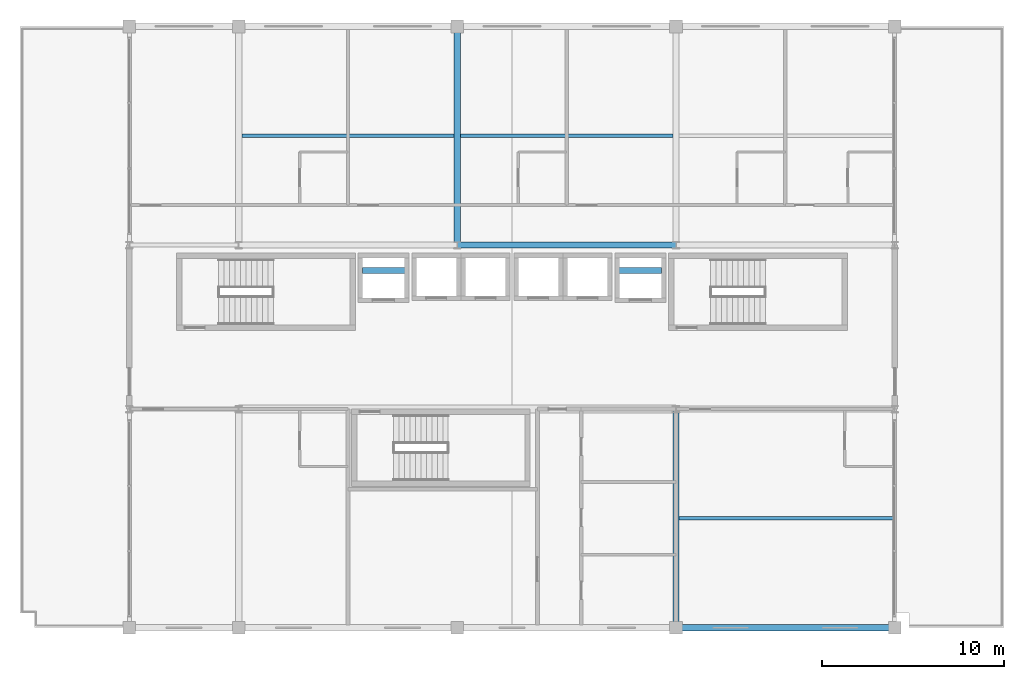
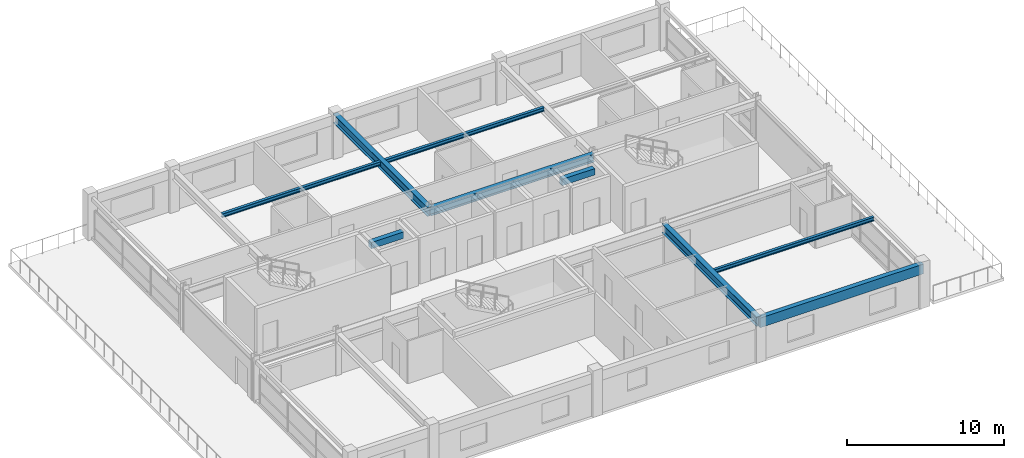
# One storey, part 9 of 24: 9 beams.
"""IFC4 building model written with IfcOpenShell, lengths in metres."""

from ifc_helpers import new_model, si_unit, direction, frame, origin, origin_2d, place, context, subcontext, project, spatial, rectangle, i_section, extrude, material, material_profile, profile_set, type_object, element, save


model = new_model("IFC4")

# Units and contexts
model_context = context("Model", 3, precision=1e-05, world=origin(), true_north=direction((0.0, 1.0)))
body_context = subcontext(model_context, "Body", "Model", "MODEL_VIEW")
ifc_project = project(units=[si_unit("LENGTHUNIT", "METRE"), si_unit("AREAUNIT", "SQUARE_METRE"), si_unit("VOLUMEUNIT", "CUBIC_METRE"), si_unit("PLANEANGLEUNIT", "RADIAN"), si_unit("MASSUNIT", "GRAM", prefix="KILO")], contexts=[model_context])

# Site, building, storey
site_placement = place(None, origin())
site = spatial("IfcSite", under=ifc_project, at=site_placement, CompositionType="ELEMENT")
building_placement = place(site_placement, origin())
building = spatial("IfcBuilding", under=site, at=building_placement, Name="Kaldorvane Square Convention Centre", CompositionType="ELEMENT")
storey_placement = place(building_placement, frame((0.0, 0.0, 60.0)))
storey = spatial("IfcBuildingStorey", under=building, at=storey_placement, Name="L14", CompositionType="ELEMENT", Elevation=60.0)

# Beams
ifc_material_1 = material(Name="Steel ASTM A992 Gr. 50", Category="steel")
ifc_material_profile_1 = material_profile(ifc_material_1, i_section(OverallWidth=0.326507568359375, OverallDepth=0.621795654296875, WebThickness=0.0153961181640625, FlangeThickness=0.0243988037109375, FilletRadius=0.0126953125, at=origin_2d()), Name="W24X131")
ifc_profile_set_1 = profile_set([ifc_material_profile_1], Name="Steel ASTM A992 Gr. 50")
beam_type_1 = type_object("IfcBeamType", Name="BM-GR-W24X131", PredefinedType="BEAM", material=ifc_profile_set_1)
beam_1_placement = place(storey_placement, frame((54.0, 105.0, 2.97509765625), z_axis=(1.0, 0.0, 0.0), x_axis=(0.0, 1.0, 0.0)))
element("IfcBeam", 1, at=beam_1_placement, inside=storey, type_object=beam_type_1, Name="Primary Girder (L14)", PredefinedType="BEAM", context=body_context, shape_type="SweptSolid", body=[
    extrude(i_section(OverallWidth=0.326507568359375, OverallDepth=0.621795654296875, WebThickness=0.0153961181640625, FlangeThickness=0.0243988037109375, FilletRadius=0.0126953125, at=origin_2d()), origin(), (0.0, 0.0, 1.0), 12.0),
])
ifc_material_profile_2 = material_profile(ifc_material_1, i_section(OverallWidth=0.354705810546875, OverallDepth=0.69549560546875, WebThickness=0.0153961181640625, FlangeThickness=0.0251007080078125, FilletRadius=0.01519775390625, at=origin_2d()), Name="W27X146")
ifc_profile_set_2 = profile_set([ifc_material_profile_2], Name="Steel ASTM A992 Gr. 50")
beam_type_2 = type_object("IfcBeamType", Name="BM-GR-W27X146", PredefinedType="BEAM", material=ifc_profile_set_2)
for number, where, z_axis, x_axis, name in (
    (2, (54.0, 105.0, 2.93829345703125), (0.0, 1.0, 0.0), (-1.0, 0.0, 0.0), "Transverse Girder (L14)"),
    (3, (66.0, 84.0, 2.93829345703125), (0.0, 1.0, 0.0), (-1.0, 0.0, 0.0), "Transverse Girder (L14)"),
):
    element("IfcBeam", number, at=place(storey_placement, frame(where, z_axis=z_axis, x_axis=x_axis)), inside=storey, type_object=beam_type_2, Name=name, PredefinedType="BEAM", context=body_context, shape_type="SweptSolid", body=[
        extrude(i_section(OverallWidth=0.354705810546875, OverallDepth=0.69549560546875, WebThickness=0.0153961181640625, FlangeThickness=0.0251007080078125, FilletRadius=0.01519775390625, at=origin_2d()), origin(), (0.0, 0.0, 1.0), 12.0),
    ])
ifc_material_profile_3 = material_profile(ifc_material_1, i_section(OverallWidth=0.2032928466796875, OverallDepth=0.3032989501953125, WebThickness=0.00750732421875, FlangeThickness=0.0131072998046875, FilletRadius=0.01019287109375, at=origin_2d()), Name="W12X40")
ifc_profile_set_3 = profile_set([ifc_material_profile_3], Name="Steel ASTM A992 Gr. 50")
beam_type_3 = type_object("IfcBeamType", Name="BM-JS-W12X40", PredefinedType="JOIST", material=ifc_profile_set_3)
beam_2_placement = place(storey_placement, frame((66.17739868164062, 90.0, 3.1343994140625), z_axis=(1.0, 0.0, 0.0), x_axis=(0.0, 1.0, 0.0)))
element("IfcBeam", 4, at=beam_2_placement, inside=storey, type_object=beam_type_3, Name="Secondary Floor Joist (L14)", PredefinedType="JOIST", context=body_context, shape_type="SweptSolid", body=[
    extrude(i_section(OverallWidth=0.2032928466796875, OverallDepth=0.3032989501953125, WebThickness=0.00750732421875, FlangeThickness=0.0131072998046875, FilletRadius=0.01019287109375, at=origin_2d()), origin(), (0.0, 0.0, 1.0), 11.72100830078125),
])
beam_3_placement = place(storey_placement, frame((42.17730712890625, 111.0, 3.1343994140625), z_axis=(1.0, 0.0, 0.0), x_axis=(0.0, 1.0, 0.0)))
element("IfcBeam", 5, at=beam_3_placement, inside=storey, type_object=beam_type_3, Name="Secondary Floor Joist (L14)", PredefinedType="JOIST", context=body_context, shape_type="SweptSolid", body=[
    extrude(i_section(OverallWidth=0.2032928466796875, OverallDepth=0.3032989501953125, WebThickness=0.00750732421875, FlangeThickness=0.0131072998046875, FilletRadius=0.01019287109375, at=origin_2d()), origin(), (0.0, 0.0, 1.0), 11.6453857421875),
])
beam_4_placement = place(storey_placement, frame((54.17730712890625, 111.0, 3.1343994140625), z_axis=(1.0, 0.0, 0.0), x_axis=(0.0, 1.0, 0.0)))
element("IfcBeam", 6, at=beam_4_placement, inside=storey, type_object=beam_type_3, Name="Secondary Floor Joist (L14)", PredefinedType="JOIST", context=body_context, shape_type="SweptSolid", body=[
    extrude(i_section(OverallWidth=0.2032928466796875, OverallDepth=0.3032989501953125, WebThickness=0.00750732421875, FlangeThickness=0.0131072998046875, FilletRadius=0.01019287109375, at=origin_2d()), origin(), (0.0, 0.0, 1.0), 11.645294189453125),
])
ifc_material_2 = material(Name="Concrete f'c = 42 MPa (Normalweight)", Category="concrete")
ifc_material_profile_4 = material_profile(ifc_material_2, rectangle(XDim=0.350006103515625, YDim=0.5, at=origin_2d()), Name="RCLN500X350")
ifc_profile_set_4 = profile_set([ifc_material_profile_4], Name="Concrete f'c = 42 MPa (Normalweight)")
beam_type_4 = type_object("IfcBeamType", Name="BM-LN-RC500", PredefinedType="LINTEL", material=ifc_profile_set_4)
for number, where, z_axis, x_axis, name in (
    (7, (48.80000305175781, 103.60000610351562, 3.037994384765625), (1.0, 0.0, 0.0), (0.0, 1.0, 0.0), "Core Coupling Lintel W (L14)"),
    (8, (62.80000305175781, 103.60000610351562, 3.037994384765625), (1.0, 0.0, 0.0), (0.0, 1.0, 0.0), "Core Coupling Lintel E (L14)"),
):
    element("IfcBeam", number, at=place(storey_placement, frame(where, z_axis=z_axis, x_axis=x_axis)), inside=storey, type_object=beam_type_4, Name=name, PredefinedType="LINTEL", context=body_context, shape_type="SweptSolid", body=[
        extrude(rectangle(XDim=0.350006103515625, YDim=0.5, at=origin_2d()), origin(), (0.0, 0.0, 1.0), 2.399993896484375),
    ])
ifc_material_profile_5 = material_profile(ifc_material_2, rectangle(XDim=0.350006103515625, YDim=0.75, at=origin_2d()), Name="RCSP750X350")
ifc_profile_set_5 = profile_set([ifc_material_profile_5], Name="Concrete f'c = 42 MPa (Normalweight)")
beam_type_5 = type_object("IfcBeamType", Name="BM-SP-RC750", PredefinedType="SPANDREL", material=ifc_profile_set_5)
beam_5_placement = place(storey_placement, frame((66.0, 84.0, 2.9109954833984375), z_axis=(1.0, 0.0, 0.0), x_axis=(0.0, 1.0, 0.0)))
element("IfcBeam", 9, at=beam_5_placement, inside=storey, type_object=beam_type_5, Name="Perimeter Spandrel (L14)", PredefinedType="SPANDREL", context=body_context, shape_type="SweptSolid", body=[
    extrude(rectangle(XDim=0.350006103515625, YDim=0.75, at=origin_2d()), origin(), (0.0, 0.0, 1.0), 12.0),
])

save(model, "model.ifc")
